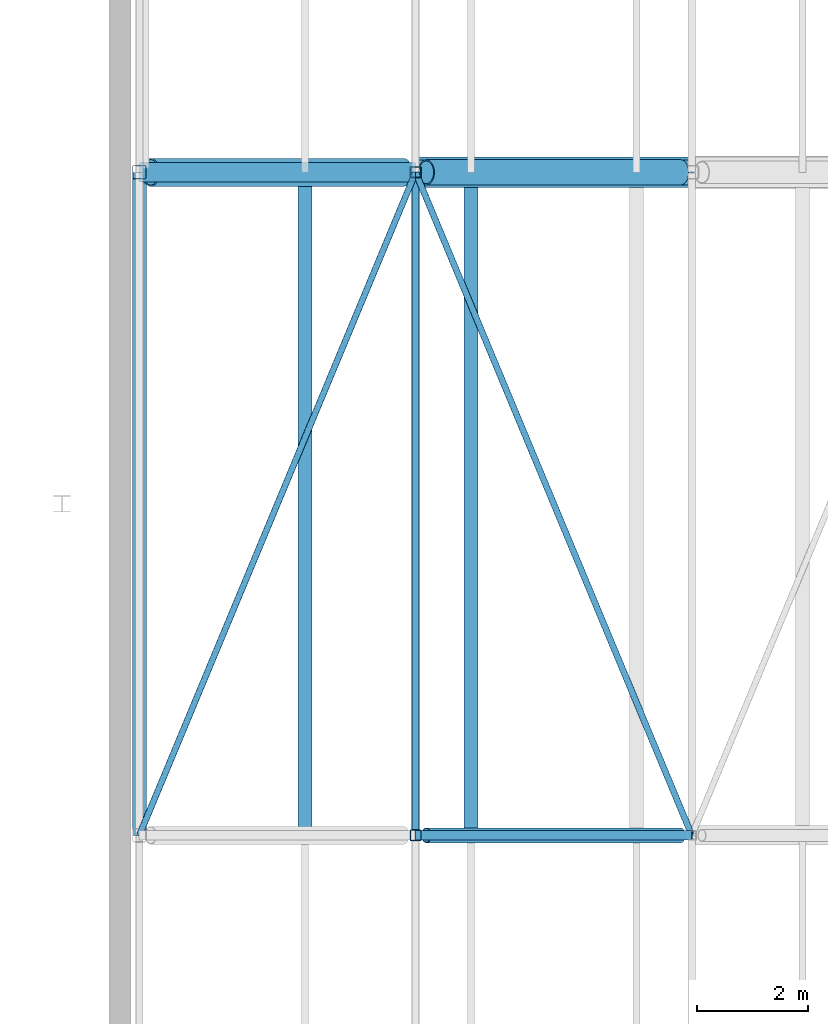
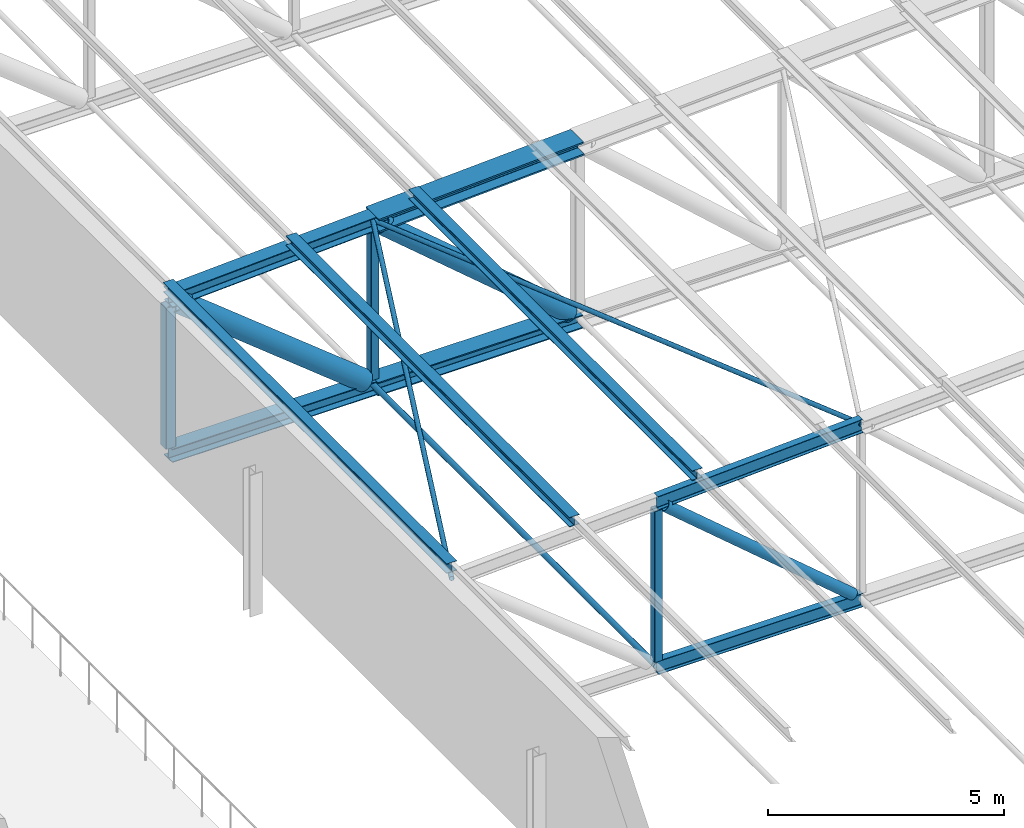
# One storey, part 64 of 156: 18 members.
"""IFC4 building model written with IfcOpenShell, lengths in metres."""

from ifc_helpers import new_model, si_unit, direction, frame, origin, origin_2d, place, context, subcontext, project, spatial, hollow_rectangle, hollow_circle, i_section, extrude, material, material_profile, profile_set, type_object, element, save


model = new_model("IFC4")

# Units and contexts
model_context = context("Model", 3, precision=1e-05, world=origin(), true_north=direction((0.0, 1.0)))
body_context = subcontext(model_context, "Body", "Model", "MODEL_VIEW")
ifc_project = project(units=[si_unit("LENGTHUNIT", "METRE"), si_unit("AREAUNIT", "SQUARE_METRE"), si_unit("VOLUMEUNIT", "CUBIC_METRE"), si_unit("PLANEANGLEUNIT", "RADIAN"), si_unit("MASSUNIT", "GRAM", prefix="KILO")], contexts=[model_context])

# Site, building, storey
site_placement = place(None, origin())
site = spatial("IfcSite", under=ifc_project, at=site_placement, CompositionType="ELEMENT")
building_placement = place(site_placement, origin())
building = spatial("IfcBuilding", under=site, at=building_placement, Name="Lilac Gate Convention Centre", CompositionType="ELEMENT")
storey_placement = place(building_placement, frame((0.0, 0.0, 17.0)))
storey = spatial("IfcBuildingStorey", under=building, at=storey_placement, Name="L03", CompositionType="ELEMENT", Elevation=17.0)

# Members
ifc_material = material(Name="Steel Q355B", Category="steel")
ifc_material_profile_1 = material_profile(ifc_material, hollow_circle(Radius=0.06982421875, WallThickness=0.0048828125, at=origin_2d()), Name="CHS139.7x5")
ifc_profile_set_1 = profile_set([ifc_material_profile_1], Name="Steel Q355B")
member_type_1 = type_object("IfcMemberType", Name="Bottom chord tie CHS139.7x5", PredefinedType="STRUT", material=ifc_profile_set_1)
member_1_placement = place(storey_placement, frame((35.0, 126.00341796875, 0.0), z_axis=(0.0, 1.0, 0.0), x_axis=(-1.0, 0.0, 0.0)))
element("IfcMember", 1, at=member_1_placement, inside=storey, type_object=member_type_1, Name="ST1 tie bay 9 node 2", PredefinedType="STRUT", context=body_context, shape_type="SweptSolid", body=[
    extrude(hollow_circle(Radius=0.06982421875, WallThickness=0.0048828125, at=origin_2d()), origin(), (0.0, 0.0, 1.0), 11.990478515625),
])
ifc_material_profile_2 = material_profile(ifc_material, hollow_circle(Radius=0.05712890625, WallThickness=0.0048828125, at=origin_2d()), Name="CHS114.3x5")
ifc_profile_set_2 = profile_set([ifc_material_profile_2], Name="Steel Q355B")
member_type_2 = type_object("IfcMemberType", Name="Roof plane bracing CHS114.3x5", PredefinedType="BRACE", material=ifc_profile_set_2)
for number, where, z_axis, x_axis, name in (
    (2, (30.00244140625, 126.006103515625, 4.0), (0.384557486582, 0.922900376645, 0.019246669905), (-0.923071361129, 0.384628733019, 0.0), "BR1 plan bracing bay 9 panel 1"),
    (3, (35.00244140625, 137.993896484375, 4.25), (0.384557486582, -0.922900376645, 0.019246669905), (0.923071361129, 0.384628733019, 0.0), "BR1 plan bracing bay 9 panel 2"),
):
    element("IfcMember", number, at=place(storey_placement, frame(where, z_axis=z_axis, x_axis=x_axis)), inside=storey, type_object=member_type_2, Name=name, PredefinedType="BRACE", context=body_context, shape_type="SweptSolid", body=[
        extrude(hollow_circle(Radius=0.05712890625, WallThickness=0.0048828125, at=origin_2d()), origin(), (0.0, 0.0, 1.0), 12.9892578125),
    ])
ifc_material_profile_3 = material_profile(ifc_material, i_section(OverallWidth=0.25, OverallDepth=0.25, WebThickness=0.009033203125, FlangeThickness=0.013916015625, FilletRadius=0.012939453125, at=origin_2d()), Name="HW250x250x9x14")
ifc_profile_set_3 = profile_set([ifc_material_profile_3], Name="Steel Q355B")
member_type_3 = type_object("IfcMemberType", Name="Roof purlin HW250x250x9x14", PredefinedType="PURLIN", material=ifc_profile_set_3)
for number, where, z_axis, x_axis, name in (
    (4, (30.0, 126.0, 4.30029296875), (0.0, 1.0, 0.0), (-1.0, 0.0, 0.0), "PU1 purlin bay 9 line 1"),
    (5, (33.0, 126.0, 4.4501953125), (0.0, 1.0, 0.0), (-1.0, 0.0, 0.0), "PU1 purlin bay 9 line 2"),
    (6, (36.0, 126.0, 4.60009765625), (0.0, 1.0, 0.0), (-1.0, 0.0, 0.0), "PU1 purlin bay 9 line 3"),
):
    element("IfcMember", number, at=place(storey_placement, frame(where, z_axis=z_axis, x_axis=x_axis)), inside=storey, type_object=member_type_3, Name=name, PredefinedType="PURLIN", context=body_context, shape_type="SweptSolid", body=[
        extrude(i_section(OverallWidth=0.25, OverallDepth=0.25, WebThickness=0.009033203125, FlangeThickness=0.013916015625, FilletRadius=0.012939453125, at=origin_2d()), origin(), (0.0, 0.0, 1.0), 12.0),
    ])
ifc_material_profile_4 = material_profile(ifc_material, i_section(OverallWidth=0.175048828125, OverallDepth=0.35009765625, WebThickness=0.007080078125, FlangeThickness=0.010986328125, FilletRadius=0.012939453125, at=origin_2d()), Name="HN350x175x7x11")
ifc_profile_set_4 = profile_set([ifc_material_profile_4], Name="Steel Q355B")
member_type_4 = type_object("IfcMemberType", Name="Truss bottom chord HN350x175x7x11", PredefinedType="CHORD", material=ifc_profile_set_4)
member_2_placement = place(storey_placement, frame((35.0, 126.0, 0.0), z_axis=(1.0, 0.0, 0.0), x_axis=(0.0, 1.0, 0.0)))
element("IfcMember", 7, at=member_2_placement, inside=storey, type_object=member_type_4, Name="TB1 truss 9 bottom chord 2", PredefinedType="CHORD", context=body_context, shape_type="SweptSolid", body=[
    extrude(i_section(OverallWidth=0.175048828125, OverallDepth=0.35009765625, WebThickness=0.007080078125, FlangeThickness=0.010986328125, FilletRadius=0.012939453125, at=origin_2d()), origin(), (0.0, 0.0, 1.0), 5.0),
])
ifc_material_profile_5 = material_profile(ifc_material, i_section(OverallWidth=0.35009765625, OverallDepth=0.35009765625, WebThickness=0.011962890625, FlangeThickness=0.01904296875, FilletRadius=0.012939453125, at=origin_2d()), Name="HW350x350x12x19")
ifc_profile_set_5 = profile_set([ifc_material_profile_5], Name="Steel Q355B")
member_type_5 = type_object("IfcMemberType", Name="Truss bottom chord HW350x350x12x19", PredefinedType="CHORD", material=ifc_profile_set_5)
member_3_placement = place(storey_placement, frame((30.0, 138.0, 0.0), z_axis=(1.0, 0.0, 0.0), x_axis=(0.0, 1.0, 0.0)))
element("IfcMember", 8, at=member_3_placement, inside=storey, type_object=member_type_5, Name="TB2 truss 10 bottom chord 1", PredefinedType="CHORD", context=body_context, shape_type="SweptSolid", body=[
    extrude(i_section(OverallWidth=0.35009765625, OverallDepth=0.35009765625, WebThickness=0.011962890625, FlangeThickness=0.01904296875, FilletRadius=0.012939453125, at=origin_2d()), origin(), (0.0, 0.0, 1.0), 5.0),
])
ifc_material_profile_6 = material_profile(ifc_material, i_section(OverallWidth=0.449951171875, OverallDepth=0.35009765625, WebThickness=0.01611328125, FlangeThickness=0.028076171875, FilletRadius=0.008056640625, at=origin_2d()), Name="WH350x450x16x28")
ifc_profile_set_6 = profile_set([ifc_material_profile_6], Name="Steel Q355B")
member_type_6 = type_object("IfcMemberType", Name="Truss bottom chord WH350x450x16x28", PredefinedType="CHORD", material=ifc_profile_set_6)
member_4_placement = place(storey_placement, frame((35.0, 138.0, 0.0), z_axis=(1.0, 0.0, 0.0), x_axis=(0.0, 1.0, 0.0)))
element("IfcMember", 9, at=member_4_placement, inside=storey, type_object=member_type_6, Name="TB4 truss 10 bottom chord 2", PredefinedType="CHORD", context=body_context, shape_type="SweptSolid", body=[
    extrude(i_section(OverallWidth=0.449951171875, OverallDepth=0.35009765625, WebThickness=0.01611328125, FlangeThickness=0.028076171875, FilletRadius=0.008056640625, at=origin_2d()), origin(), (0.0, 0.0, 1.0), 5.0),
])
ifc_material_profile_7 = material_profile(ifc_material, hollow_circle(Radius=0.136474609375, WallThickness=0.010009765625, at=origin_2d()), Name="CHS273x10")
ifc_profile_set_7 = profile_set([ifc_material_profile_7], Name="Steel Q355B")
member_type_7 = type_object("IfcMemberType", Name="Truss diagonal CHS273x10", PredefinedType="BRACE", material=ifc_profile_set_7)
member_5_placement = place(storey_placement, frame((35.193115234375, 126.0, 4.085693359375), z_axis=(0.761961263863, 0.0, -0.647622600263), x_axis=(0.0, 1.0, 0.0)))
element("IfcMember", 10, at=member_5_placement, inside=storey, type_object=member_type_7, Name="TW2 truss 9 diagonal 2", PredefinedType="BRACE", context=body_context, shape_type="SweptSolid", body=[
    extrude(hollow_circle(Radius=0.136474609375, WallThickness=0.010009765625, at=origin_2d()), origin(), (0.0, 0.0, 1.0), 6.03857421875),
])
ifc_material_profile_8 = material_profile(ifc_material, hollow_circle(Radius=0.228515625, WallThickness=0.02490234375, at=origin_2d()), Name="CHS457x25")
ifc_profile_set_8 = profile_set([ifc_material_profile_8], Name="Steel Q355B")
member_type_8 = type_object("IfcMemberType", Name="Truss diagonal CHS457x25", PredefinedType="BRACE", material=ifc_profile_set_8)
member_6_placement = place(storey_placement, frame((35.193115234375, 138.0, 4.085693359375), z_axis=(0.761961263863, 0.0, -0.647622600263), x_axis=(0.0, 1.0, 0.0)))
element("IfcMember", 11, at=member_6_placement, inside=storey, type_object=member_type_8, Name="TW8 truss 10 diagonal 2", PredefinedType="BRACE", context=body_context, shape_type="SweptSolid", body=[
    extrude(hollow_circle(Radius=0.228515625, WallThickness=0.02490234375, at=origin_2d()), origin(), (0.0, 0.0, 1.0), 6.03857421875),
])
ifc_material_profile_9 = material_profile(ifc_material, hollow_circle(Radius=0.25390625, WallThickness=0.02490234375, at=origin_2d()), Name="CHS508x25")
ifc_profile_set_9 = profile_set([ifc_material_profile_9], Name="Steel Q355B")
member_type_9 = type_object("IfcMemberType", Name="Truss diagonal CHS508x25", PredefinedType="BRACE", material=ifc_profile_set_9)
member_7_placement = place(storey_placement, frame((30.205322265625, 138.0, 3.835693359375), z_axis=(0.780876938611, 0.0, -0.624684885959), x_axis=(0.0, 1.0, 0.0)))
element("IfcMember", 12, at=member_7_placement, inside=storey, type_object=member_type_9, Name="TW7 truss 10 diagonal 1", PredefinedType="BRACE", context=body_context, shape_type="SweptSolid", body=[
    extrude(hollow_circle(Radius=0.25390625, WallThickness=0.02490234375, at=origin_2d()), origin(), (0.0, 0.0, 1.0), 5.860107421875),
])
ifc_material_profile_10 = material_profile(ifc_material, i_section(OverallWidth=0.175048828125, OverallDepth=0.35009765625, WebThickness=0.007080078125, FlangeThickness=0.010986328125, FilletRadius=0.012939453125, at=origin_2d()), Name="HN350x175x7x11")
ifc_profile_set_10 = profile_set([ifc_material_profile_10], Name="Steel Q355B")
member_type_10 = type_object("IfcMemberType", Name="Truss top chord HN350x175x7x11", PredefinedType="CHORD", material=ifc_profile_set_10)
member_8_placement = place(storey_placement, frame((35.0, 126.0, 4.25), z_axis=(0.998752338878, 0.0, 0.049937616944), x_axis=(0.0, 1.0, 0.0)))
element("IfcMember", 13, at=member_8_placement, inside=storey, type_object=member_type_10, Name="TT1 truss 9 top chord 2", PredefinedType="CHORD", context=body_context, shape_type="SweptSolid", body=[
    extrude(i_section(OverallWidth=0.175048828125, OverallDepth=0.35009765625, WebThickness=0.007080078125, FlangeThickness=0.010986328125, FilletRadius=0.012939453125, at=origin_2d()), origin(), (0.0, 0.0, 1.0), 5.00634765625),
])
ifc_material_profile_11 = material_profile(ifc_material, i_section(OverallWidth=0.35009765625, OverallDepth=0.35009765625, WebThickness=0.011962890625, FlangeThickness=0.01904296875, FilletRadius=0.012939453125, at=origin_2d()), Name="HW350x350x12x19")
ifc_profile_set_11 = profile_set([ifc_material_profile_11], Name="Steel Q355B")
member_type_11 = type_object("IfcMemberType", Name="Truss top chord HW350x350x12x19", PredefinedType="CHORD", material=ifc_profile_set_11)
member_9_placement = place(storey_placement, frame((30.0, 138.0, 4.0), z_axis=(0.998752338878, 0.0, 0.049937616944), x_axis=(0.0, 1.0, 0.0)))
element("IfcMember", 14, at=member_9_placement, inside=storey, type_object=member_type_11, Name="TT2 truss 10 top chord 1", PredefinedType="CHORD", context=body_context, shape_type="SweptSolid", body=[
    extrude(i_section(OverallWidth=0.35009765625, OverallDepth=0.35009765625, WebThickness=0.011962890625, FlangeThickness=0.01904296875, FilletRadius=0.012939453125, at=origin_2d()), origin(), (0.0, 0.0, 1.0), 5.00634765625),
])
ifc_material_profile_12 = material_profile(ifc_material, i_section(OverallWidth=0.550048828125, OverallDepth=0.35009765625, WebThickness=0.02001953125, FlangeThickness=0.0400390625, FilletRadius=0.008056640625, at=origin_2d()), Name="WH350x550x20x40")
ifc_profile_set_12 = profile_set([ifc_material_profile_12], Name="Steel Q355B")
member_type_12 = type_object("IfcMemberType", Name="Truss top chord WH350x550x20x40", PredefinedType="CHORD", material=ifc_profile_set_12)
member_10_placement = place(storey_placement, frame((35.0, 138.0, 4.25), z_axis=(0.998752338878, 0.0, 0.049937616944), x_axis=(0.0, 1.0, 0.0)))
element("IfcMember", 15, at=member_10_placement, inside=storey, type_object=member_type_12, Name="TT4 truss 10 top chord 2", PredefinedType="CHORD", context=body_context, shape_type="SweptSolid", body=[
    extrude(i_section(OverallWidth=0.550048828125, OverallDepth=0.35009765625, WebThickness=0.02001953125, FlangeThickness=0.0400390625, FilletRadius=0.008056640625, at=origin_2d()), origin(), (0.0, 0.0, 1.0), 5.00634765625),
])
ifc_material_profile_13 = material_profile(ifc_material, hollow_rectangle(XDim=0.199951171875, YDim=0.199951171875, WallThickness=0.008056640625, InnerFilletRadius=0.011962890625, OuterFilletRadius=0.02001953125, at=origin_2d()), Name="SHS200x200x8")
ifc_profile_set_13 = profile_set([ifc_material_profile_13], Name="Steel Q355B")
member_type_13 = type_object("IfcMemberType", Name="Truss vertical SHS200x200x8", PredefinedType="STRUT", material=ifc_profile_set_13)
for number, where, z_axis, x_axis, name in (
    (16, (35.0, 126.0, 0.175048828125), (0.0, 0.0, 1.0), (1.0, 0.0, 0.0), "TV2 truss 9 vertical 2"),
    (17, (35.0, 138.0, 0.175048828125), (0.0, 0.0, 1.0), (1.0, 0.0, 0.0), "TV2 truss 10 vertical 2"),
):
    element("IfcMember", number, at=place(storey_placement, frame(where, z_axis=z_axis, x_axis=x_axis)), inside=storey, type_object=member_type_13, Name=name, PredefinedType="STRUT", context=body_context, shape_type="SweptSolid", body=[
        extrude(hollow_rectangle(XDim=0.199951171875, YDim=0.199951171875, WallThickness=0.008056640625, InnerFilletRadius=0.011962890625, OuterFilletRadius=0.02001953125, at=origin_2d()), origin(), (0.0, 0.0, 1.0), 3.899658203125),
    ])
ifc_material_profile_14 = material_profile(ifc_material, hollow_rectangle(XDim=0.25, YDim=0.25, WallThickness=0.010009765625, InnerFilletRadius=0.014892578125, OuterFilletRadius=0.02490234375, at=origin_2d()), Name="SHS250x250x10")
ifc_profile_set_14 = profile_set([ifc_material_profile_14], Name="Steel Q355B")
member_type_14 = type_object("IfcMemberType", Name="Truss vertical SHS250x250x10", PredefinedType="STRUT", material=ifc_profile_set_14)
member_11_placement = place(storey_placement, frame((30.0, 138.0, 0.175048828125), z_axis=(0.0, 0.0, 1.0), x_axis=(1.0, 0.0, 0.0)))
element("IfcMember", 18, at=member_11_placement, inside=storey, type_object=member_type_14, Name="TV1 truss 10 vertical 1", PredefinedType="STRUT", context=body_context, shape_type="SweptSolid", body=[
    extrude(hollow_rectangle(XDim=0.25, YDim=0.25, WallThickness=0.010009765625, InnerFilletRadius=0.014892578125, OuterFilletRadius=0.02490234375, at=origin_2d()), origin(), (0.0, 0.0, 1.0), 3.649658203125),
])

save(model, "model.ifc")
